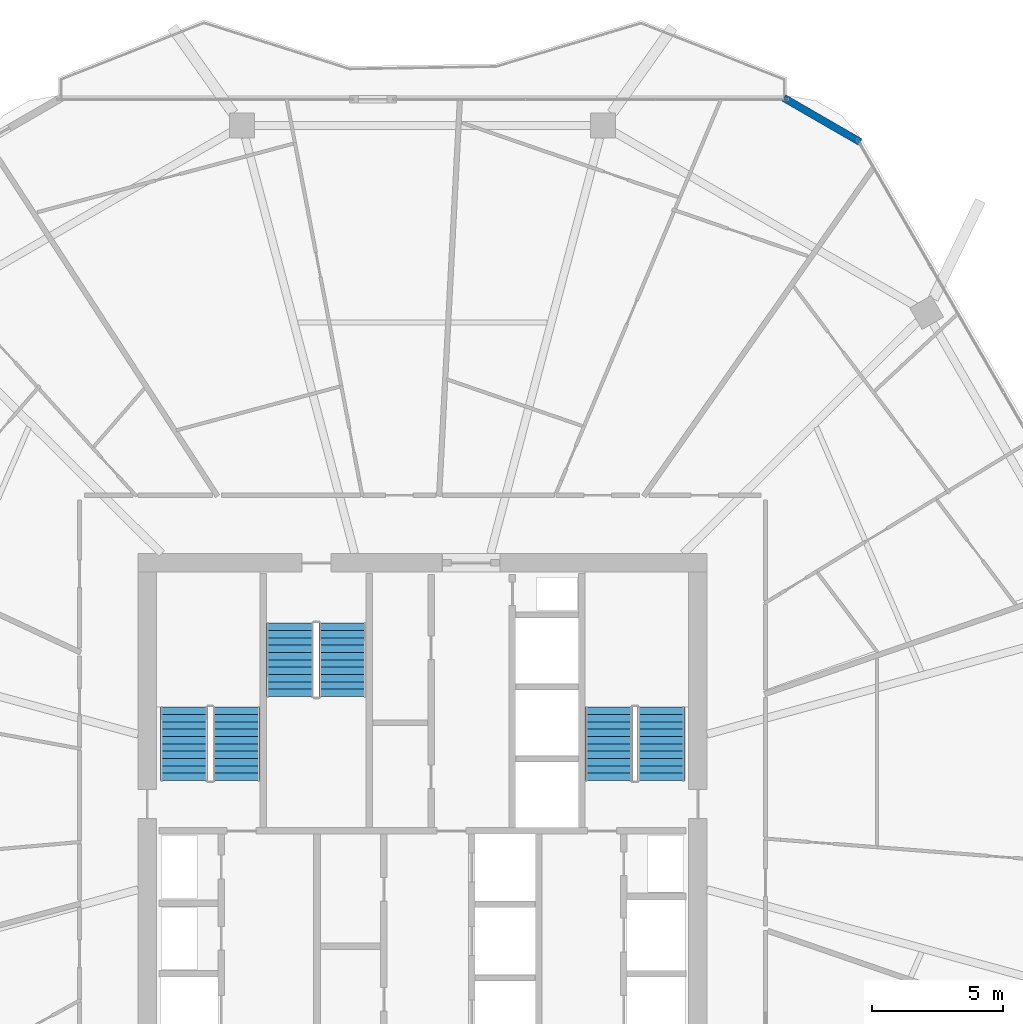
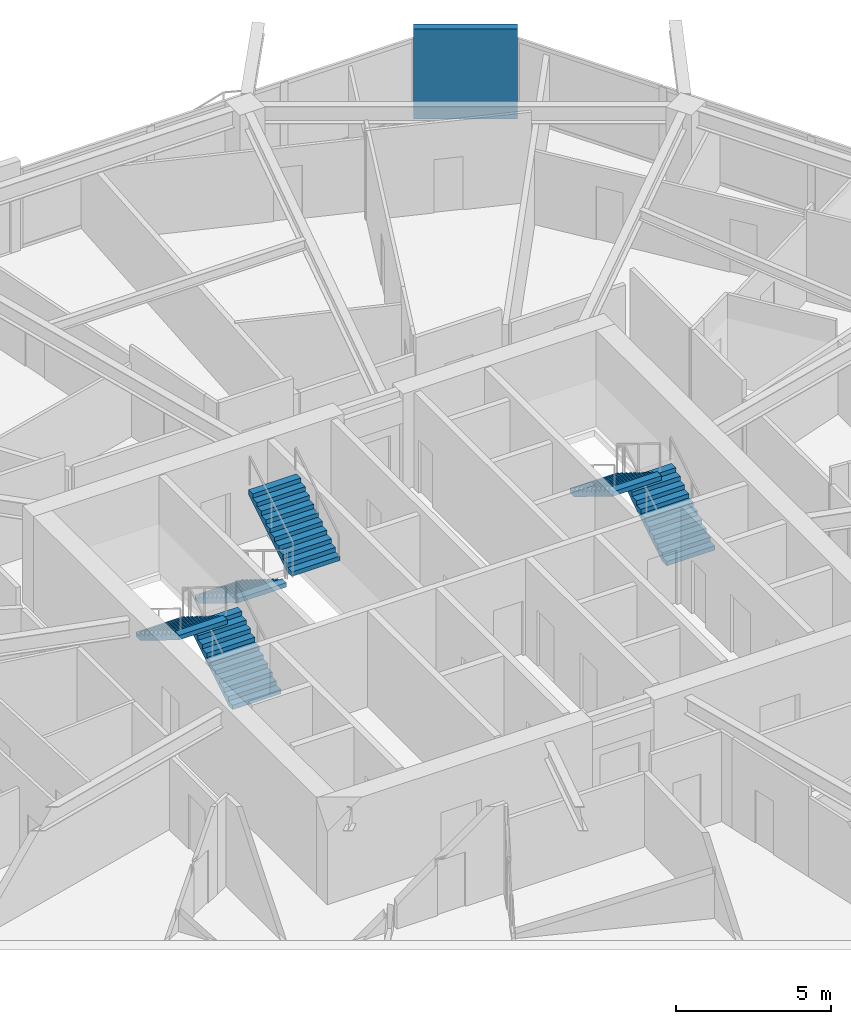
# One storey, part 24 of 27: 6 stair flights, 1 wall, 3 elements without a shape of their own.
"""IFC4 building model written with IfcOpenShell, lengths in metres."""

from ifc_helpers import new_model, si_unit, direction, frame, frame_2d, origin, place, context, subcontext, project, spatial, polyline, rectangle, outline, extrude, material, layer, layer_set, type_object, element, aggregate, save


model = new_model("IFC4")

# Units and contexts
model_context = context("Model", 3, precision=1e-05, world=origin(), true_north=direction((0.0, 1.0)))
body_context = subcontext(model_context, "Body", "Model", "MODEL_VIEW")
ifc_project = project(units=[si_unit("LENGTHUNIT", "METRE"), si_unit("AREAUNIT", "SQUARE_METRE"), si_unit("VOLUMEUNIT", "CUBIC_METRE"), si_unit("PLANEANGLEUNIT", "RADIAN"), si_unit("MASSUNIT", "GRAM", prefix="KILO")], contexts=[model_context])

# Site, building, storey
site_placement = place(None, origin())
site = spatial("IfcSite", under=ifc_project, at=site_placement, CompositionType="ELEMENT")
building_placement = place(site_placement, origin())
building = spatial("IfcBuilding", under=site, at=building_placement, Name="Zuhravey Tower", CompositionType="ELEMENT")
storey_placement = place(building_placement, frame((0.0, 0.0, 218.800048828125)))
storey = spatial("IfcBuildingStorey", under=building, at=storey_placement, Name="L55", CompositionType="ELEMENT", Elevation=218.800048828125)

# Wall
ifc_material_1 = material(Name="Precast concrete C40/50", Category="concrete")
ifc_layer = layer(ifc_material_1, 0.280029296875)
ifc_layer_set = layer_set([ifc_layer], Name="Precast concrete C40/50")
wall_type = type_object("IfcWallType", Name="Crown Architectural Wall 280", PredefinedType="SOLIDWALL", material=ifc_layer_set)
wall_placement = place(storey_placement, frame((49.77880859375, 59.230712890625, 0.0), z_axis=(0.0, 0.0, 1.0), x_axis=(0.866020068361, -0.500009241111, 0.0)))
element("IfcWall", 1, at=wall_placement, inside=storey, type_object=wall_type, Name="L55 Rounded Corner Closure Wall EW28-10", PredefinedType="SOLIDWALL", context=body_context, shape_type="SweptSolid", body=[
    extrude(rectangle(XDim=3.365234375, YDim=0.280029296875, at=frame_2d((1.6826171875, 0.0))), origin(), (0.0, 0.0, 1.0), 3.550048828125),
])

# Stair, stair flights
ifc_material_2 = material(Name="Concrete C40/50", Category="concrete")
stair_type = type_object("IfcStairType", Name="Housing Storey Stair Assembly 3800", PredefinedType="HALF_TURN_STAIR", material=ifc_material_2)
stair_1_placement = place(storey_placement, origin())
stair_1 = element("IfcStair", 2, at=stair_1_placement, inside=storey, type_object=stair_type, Name="L55 Core Exit Stair ST1", PredefinedType="HALF_TURN_STAIR")
stair_flight_type = type_object("IfcStairFlightType", Name="Housing Storey Stair Flight 3800", PredefinedType="STRAIGHT", material=ifc_material_2)
stair_flight_1_placement = place(storey_placement, frame((28.89990234375, 33.199951171875, 0.0), z_axis=(0.0, 0.0, 1.0), x_axis=(0.0, 1.0, 0.0)))
stair_flight_1 = element("IfcStairFlight", 3, at=stair_flight_1_placement, type_object=stair_flight_type, Name="ST1 flight 1", NumberOfRisers=11, NumberOfTreads=10, PredefinedType="STRAIGHT", RiserHeight=0.172727273, TreadLength=0.28, context=body_context, shape_type="SweptSolid", body=[
    extrude(outline(polyline([(0.0, 0.0), (0.0, 0.172607421875), (0.280029296875, 0.172607421875), (0.280029296875, 0.345458984375), (0.56005859375, 0.345458984375), (0.56005859375, 0.51806640625), (0.840087890625, 0.51806640625), (0.840087890625, 0.69091796875), (1.1201171875, 0.69091796875), (1.1201171875, 0.863525390625), (1.39990234375, 0.863525390625), (1.39990234375, 1.036376953125), (1.679931640625, 1.036376953125), (1.679931640625, 1.208984375), (1.9599609375, 1.208984375), (1.9599609375, 1.3818359375), (2.239990234375, 1.3818359375), (2.239990234375, 1.554443359375), (2.52001953125, 1.554443359375), (2.52001953125, 1.727294921875), (2.800048828125, 1.727294921875), (2.800048828125, 1.89990234375), (2.800048828125, 1.551025390625), (0.285400390625, 0.0), (0.0, 0.0)])), frame((0.0, 0.89990234375, 0.0), z_axis=(0.0, -1.0, 0.0), x_axis=(1.0, 0.0, 0.0)), (0.0, 0.0, 1.0), 1.800048828125),
])
stair_flight_2_placement = place(storey_placement, frame((26.89990234375, 36.0, 1.89990234375), z_axis=(0.0, 0.0, 1.0), x_axis=(0.0, -1.0, 0.0)))
stair_flight_2 = element("IfcStairFlight", 4, at=stair_flight_2_placement, type_object=stair_flight_type, Name="ST1 flight 2", NumberOfRisers=11, NumberOfTreads=10, PredefinedType="STRAIGHT", RiserHeight=0.172727273, TreadLength=0.28, context=body_context, shape_type="SweptSolid", body=[
    extrude(outline(polyline([(0.0, 0.0), (0.0, 0.172607421875), (0.280029296875, 0.172607421875), (0.280029296875, 0.345458984375), (0.56005859375, 0.345458984375), (0.56005859375, 0.51806640625), (0.840087890625, 0.51806640625), (0.840087890625, 0.69091796875), (1.1201171875, 0.69091796875), (1.1201171875, 0.863525390625), (1.39990234375, 0.863525390625), (1.39990234375, 1.036376953125), (1.679931640625, 1.036376953125), (1.679931640625, 1.208984375), (1.9599609375, 1.208984375), (1.9599609375, 1.3818359375), (2.239990234375, 1.3818359375), (2.239990234375, 1.554443359375), (2.52001953125, 1.554443359375), (2.52001953125, 1.727294921875), (2.800048828125, 1.727294921875), (2.800048828125, 1.89990234375), (2.800048828125, 1.551025390625), (0.285400390625, 0.0), (0.0, 0.0)])), frame((0.0, 0.89990234375, 0.0), z_axis=(0.0, -1.0, 0.0), x_axis=(1.0, 0.0, 0.0)), (0.0, 0.0, 1.0), 1.800048828125),
])
aggregate(stair_1, [stair_flight_1, stair_flight_2])

stair_2_placement = place(storey_placement, origin())
stair_2 = element("IfcStair", 5, at=stair_2_placement, inside=storey, type_object=stair_type, Name="L55 Core Exit Stair ST2", PredefinedType="HALF_TURN_STAIR")
stair_flight_3_placement = place(storey_placement, frame((45.10009765625, 33.199951171875, 0.0), z_axis=(0.0, 0.0, 1.0), x_axis=(0.0, 1.0, 0.0)))
stair_flight_3 = element("IfcStairFlight", 6, at=stair_flight_3_placement, type_object=stair_flight_type, Name="ST2 flight 1", NumberOfRisers=11, NumberOfTreads=10, PredefinedType="STRAIGHT", RiserHeight=0.172727273, TreadLength=0.28, context=body_context, shape_type="SweptSolid", body=[
    extrude(outline(polyline([(0.0, 0.0), (0.0, 0.172607421875), (0.280029296875, 0.172607421875), (0.280029296875, 0.345458984375), (0.56005859375, 0.345458984375), (0.56005859375, 0.51806640625), (0.840087890625, 0.51806640625), (0.840087890625, 0.69091796875), (1.1201171875, 0.69091796875), (1.1201171875, 0.863525390625), (1.39990234375, 0.863525390625), (1.39990234375, 1.036376953125), (1.679931640625, 1.036376953125), (1.679931640625, 1.208984375), (1.9599609375, 1.208984375), (1.9599609375, 1.3818359375), (2.239990234375, 1.3818359375), (2.239990234375, 1.554443359375), (2.52001953125, 1.554443359375), (2.52001953125, 1.727294921875), (2.800048828125, 1.727294921875), (2.800048828125, 1.89990234375), (2.800048828125, 1.551025390625), (0.285400390625, 0.0), (0.0, 0.0)])), frame((0.0, 0.89990234375, 0.0), z_axis=(0.0, -1.0, 0.0), x_axis=(1.0, 0.0, 0.0)), (0.0, 0.0, 1.0), 1.800048828125),
])
stair_flight_4_placement = place(storey_placement, frame((43.10009765625, 36.0, 1.89990234375), z_axis=(0.0, 0.0, 1.0), x_axis=(0.0, -1.0, 0.0)))
stair_flight_4 = element("IfcStairFlight", 7, at=stair_flight_4_placement, type_object=stair_flight_type, Name="ST2 flight 2", NumberOfRisers=11, NumberOfTreads=10, PredefinedType="STRAIGHT", RiserHeight=0.172727273, TreadLength=0.28, context=body_context, shape_type="SweptSolid", body=[
    extrude(outline(polyline([(0.0, 0.0), (0.0, 0.172607421875), (0.280029296875, 0.172607421875), (0.280029296875, 0.345458984375), (0.56005859375, 0.345458984375), (0.56005859375, 0.51806640625), (0.840087890625, 0.51806640625), (0.840087890625, 0.69091796875), (1.1201171875, 0.69091796875), (1.1201171875, 0.863525390625), (1.39990234375, 0.863525390625), (1.39990234375, 1.036376953125), (1.679931640625, 1.036376953125), (1.679931640625, 1.208984375), (1.9599609375, 1.208984375), (1.9599609375, 1.3818359375), (2.239990234375, 1.3818359375), (2.239990234375, 1.554443359375), (2.52001953125, 1.554443359375), (2.52001953125, 1.727294921875), (2.800048828125, 1.727294921875), (2.800048828125, 1.89990234375), (2.800048828125, 1.551025390625), (0.285400390625, 0.0), (0.0, 0.0)])), frame((0.0, 0.89990234375, 0.0), z_axis=(0.0, -1.0, 0.0), x_axis=(1.0, 0.0, 0.0)), (0.0, 0.0, 1.0), 1.800048828125),
])
aggregate(stair_2, [stair_flight_3, stair_flight_4])

stair_3_placement = place(storey_placement, origin())
stair_3 = element("IfcStair", 8, at=stair_3_placement, inside=storey, type_object=stair_type, Name="L55 Core Exit Stair ST3", PredefinedType="HALF_TURN_STAIR")
stair_flight_5_placement = place(storey_placement, frame((30.949951171875, 39.199951171875, 0.0), z_axis=(0.0, 0.0, 1.0), x_axis=(0.0, -1.0, 0.0)))
stair_flight_5 = element("IfcStairFlight", 9, at=stair_flight_5_placement, type_object=stair_flight_type, Name="ST3 flight 1", NumberOfRisers=11, NumberOfTreads=10, PredefinedType="STRAIGHT", RiserHeight=0.172727273, TreadLength=0.28, context=body_context, shape_type="SweptSolid", body=[
    extrude(outline(polyline([(0.0, 0.0), (0.0, 0.172607421875), (0.280029296875, 0.172607421875), (0.280029296875, 0.345458984375), (0.56005859375, 0.345458984375), (0.56005859375, 0.51806640625), (0.840087890625, 0.51806640625), (0.840087890625, 0.69091796875), (1.1201171875, 0.69091796875), (1.1201171875, 0.863525390625), (1.39990234375, 0.863525390625), (1.39990234375, 1.036376953125), (1.679931640625, 1.036376953125), (1.679931640625, 1.208984375), (1.9599609375, 1.208984375), (1.9599609375, 1.3818359375), (2.239990234375, 1.3818359375), (2.239990234375, 1.554443359375), (2.52001953125, 1.554443359375), (2.52001953125, 1.727294921875), (2.800048828125, 1.727294921875), (2.800048828125, 1.89990234375), (2.800048828125, 1.551025390625), (0.285400390625, 0.0), (0.0, 0.0)])), frame((0.0, 0.89990234375, 0.0), z_axis=(0.0, -1.0, 0.0), x_axis=(1.0, 0.0, 0.0)), (0.0, 0.0, 1.0), 1.800048828125),
])
stair_flight_6_placement = place(storey_placement, frame((32.949951171875, 36.39990234375, 1.89990234375), z_axis=(0.0, 0.0, 1.0), x_axis=(0.0, 1.0, 0.0)))
stair_flight_6 = element("IfcStairFlight", 10, at=stair_flight_6_placement, type_object=stair_flight_type, Name="ST3 flight 2", NumberOfRisers=11, NumberOfTreads=10, PredefinedType="STRAIGHT", RiserHeight=0.172727273, TreadLength=0.28, context=body_context, shape_type="SweptSolid", body=[
    extrude(outline(polyline([(0.0, 0.0), (0.0, 0.172607421875), (0.280029296875, 0.172607421875), (0.280029296875, 0.345458984375), (0.56005859375, 0.345458984375), (0.56005859375, 0.51806640625), (0.840087890625, 0.51806640625), (0.840087890625, 0.69091796875), (1.1201171875, 0.69091796875), (1.1201171875, 0.863525390625), (1.39990234375, 0.863525390625), (1.39990234375, 1.036376953125), (1.679931640625, 1.036376953125), (1.679931640625, 1.208984375), (1.9599609375, 1.208984375), (1.9599609375, 1.3818359375), (2.239990234375, 1.3818359375), (2.239990234375, 1.554443359375), (2.52001953125, 1.554443359375), (2.52001953125, 1.727294921875), (2.800048828125, 1.727294921875), (2.800048828125, 1.89990234375), (2.800048828125, 1.551025390625), (0.285400390625, 0.0), (0.0, 0.0)])), frame((0.0, 0.89990234375, 0.0), z_axis=(0.0, -1.0, 0.0), x_axis=(1.0, 0.0, 0.0)), (0.0, 0.0, 1.0), 1.800048828125),
])
aggregate(stair_3, [stair_flight_5, stair_flight_6])

save(model, "model.ifc")
